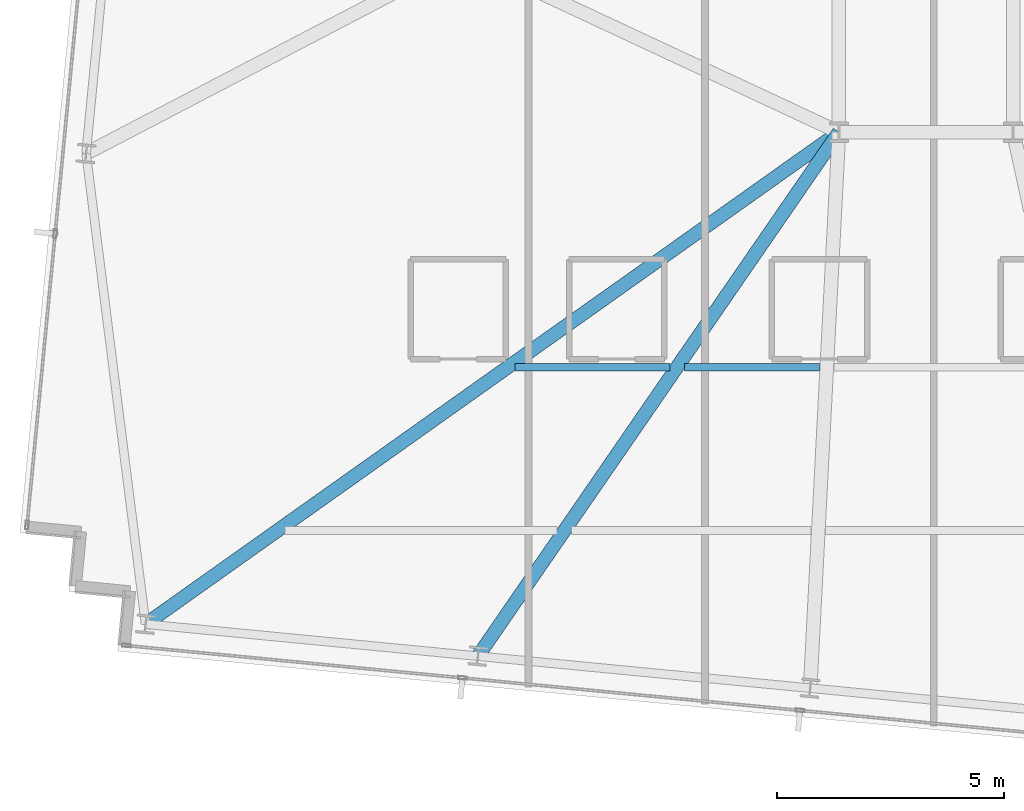
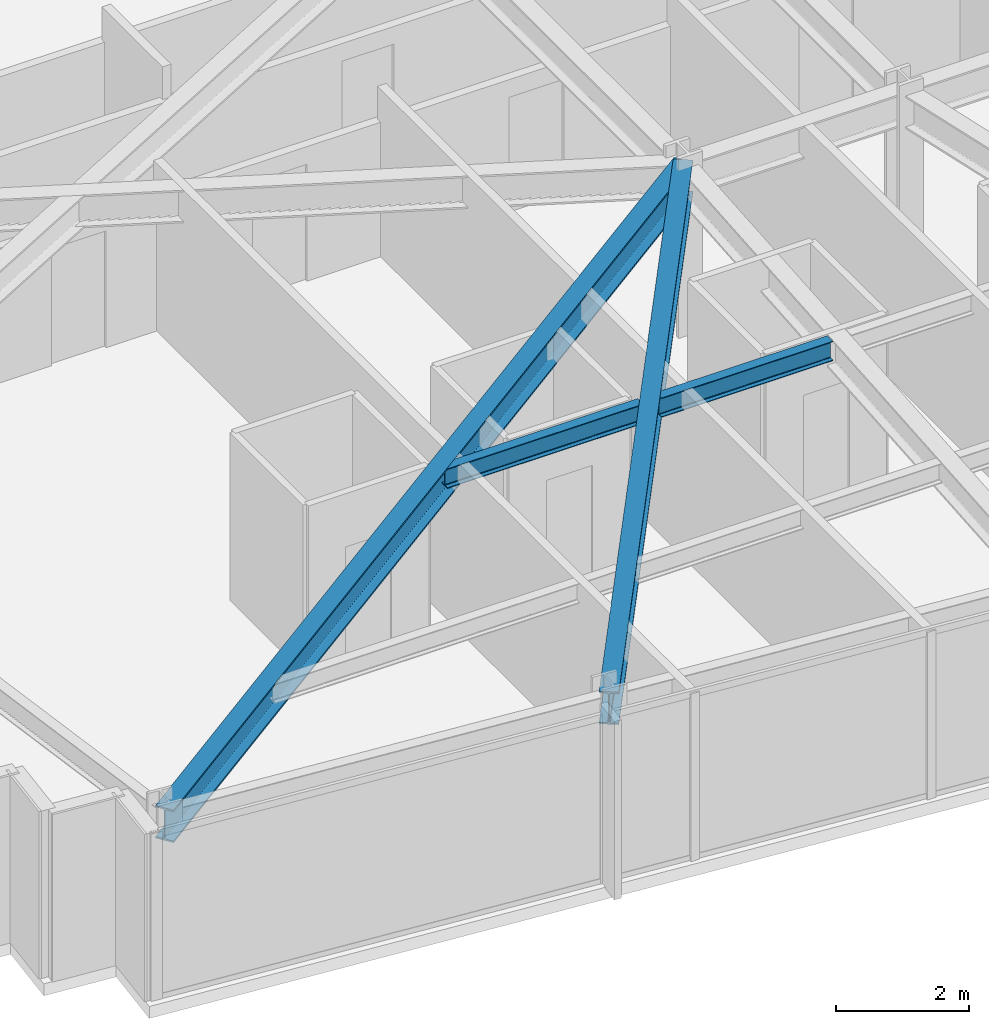
# One storey, part 5 of 37: 4 beams.
"""IFC4 building model written with IfcOpenShell, lengths in metres."""

import ifcopenshell
import ifcopenshell.guid

model = None  # the IFC model being written
_history = None  # IfcOwnerHistory: only IFC2X3 demands one
_inside = {}  # id of a spatial element -> (the spatial element, [elements in it])
_under = {}  # id of a project, library or spatial element -> (it, [spatial elements below it])
_declared = {}  # id of a project -> (the project, [libraries it declares])
_typed = {}  # id of a type object -> (the type object, [elements of that type])
_made_of = {}  # id of a material, layer set ... -> (it, [elements and type objects made of it])


def new_model(schema):
    """Start an empty IFC model of exactly this schema.

    Asked for "IFC4X3", IfcOpenShell would pick the latest addendum, in which some entities
    have other attributes; the version numbers below select the first issue.
    IFC2X3 requires an IfcOwnerHistory on every rooted entity: one is made here for all.
    """
    global model, _history
    if schema == "IFC4X3":
        model = ifcopenshell.file(schema_version=(4, 3, 0, 0))
    else:
        model = ifcopenshell.file(schema=schema)
    _inside.clear()
    _under.clear()
    _declared.clear()
    _typed.clear()
    _made_of.clear()
    _history = None
    if model.schema == "IFC2X3":
        org = make("IfcOrganization", Name="unknown")
        user = make(
            "IfcPersonAndOrganization",
            ThePerson=make("IfcPerson", FamilyName="unknown"),
            TheOrganization=org,
        )
        app = make(
            "IfcApplication",
            ApplicationDeveloper=org,
            Version="unknown",
            ApplicationFullName="unknown",
            ApplicationIdentifier="unknown",
        )
        _history = make(
            "IfcOwnerHistory",
            OwningUser=user,
            OwningApplication=app,
            ChangeAction="ADDED",
            CreationDate=0,
        )
    return model


def make(cls, **values):
    """One entity of the class cls with the attributes given. An attribute that is None is left unset."""
    return model.create_entity(
        cls, **{name: value for name, value in values.items() if value is not None}
    )


def rooted(cls, **values):
    """An entity with a GlobalId (a new one), such as an element, a storey or a relation."""
    return make(cls, GlobalId=ifcopenshell.guid.new(), OwnerHistory=_history, **values)


def si_unit(unit_type, name, prefix=None):
    """IfcSIUnit, for example si_unit("LENGTHUNIT", "METRE", prefix="MILLI")."""
    return make("IfcSIUnit", UnitType=unit_type, Prefix=prefix, Name=name)


def assignment(units):
    """IfcUnitAssignment: the units of a project."""
    return None if units is None else make("IfcUnitAssignment", Units=units)


def point(xyz):
    """IfcCartesianPoint."""
    return None if xyz is None else make("IfcCartesianPoint", Coordinates=xyz)


def direction(xyz):
    """IfcDirection."""
    return None if xyz is None else make("IfcDirection", DirectionRatios=xyz)


def frame(location, z_axis=None, x_axis=None):
    """IfcAxis2Placement3D, a coordinate frame: its origin and axes. An axis left out is left unset."""
    return make(
        "IfcAxis2Placement3D",
        Location=point(location),
        Axis=direction(z_axis),
        RefDirection=direction(x_axis),
    )


def frame_2d(location, x_axis=None):
    """IfcAxis2Placement2D, a coordinate frame in the plane: its origin and x axis."""
    return make(
        "IfcAxis2Placement2D", Location=point(location), RefDirection=direction(x_axis)
    )


def origin():
    """The frame at (0, 0, 0) with its axes left unset."""
    return frame((0.0, 0.0, 0.0))


def origin_2d():
    """The frame at (0, 0) in the plane with its x axis left unset."""
    return frame_2d((0.0, 0.0))


def place(relative_to, where):
    """IfcLocalPlacement: puts the frame where relative to a parent placement (None: the world)."""
    return make(
        "IfcLocalPlacement", PlacementRelTo=relative_to, RelativePlacement=where
    )


def context(
    kind, dimensions, precision=None, world=None, true_north=None, identifier=None
):
    """IfcGeometricRepresentationContext, for example the 3D "Model" context."""
    return make(
        "IfcGeometricRepresentationContext",
        ContextIdentifier=identifier,
        ContextType=kind,
        CoordinateSpaceDimension=dimensions,
        Precision=precision,
        WorldCoordinateSystem=world,
        TrueNorth=true_north,
    )


def subcontext(parent, identifier, kind, view, scale=None):
    """IfcGeometricRepresentationSubContext, for example "Body" below "Model"."""
    return make(
        "IfcGeometricRepresentationSubContext",
        ContextIdentifier=identifier,
        ContextType=kind,
        ParentContext=parent,
        TargetScale=scale,
        TargetView=view,
    )


def project(units=None, contexts=None):
    """IfcProject with its units and contexts."""
    return rooted(
        "IfcProject",
        Name="project",
        RepresentationContexts=contexts,
        UnitsInContext=assignment(units),
    )


def spatial(cls, under=None, at=None, **own):
    """A site, building, storey or space (cls), placed at a placement, below another one or the project."""
    s = rooted(cls, ObjectPlacement=at, **own)
    if under is not None:
        _under.setdefault(under.id(), (under, []))[1].append(s)
    return s


def profile(cls, at=None, kind="AREA", **sizes):
    """A parametric profile (cls). Its sizes go by their IFC names, for example OverallWidth=200.0."""
    return make(cls, ProfileType=kind, Position=at, **sizes)


def i_section(**sizes):
    """IfcIShapeProfileDef."""
    return profile("IfcIShapeProfileDef", **sizes)


def extrude(swept, where, along, depth):
    """IfcExtrudedAreaSolid: the profile swept, set in the frame where, extruded along a direction by depth."""
    return make(
        "IfcExtrudedAreaSolid",
        SweptArea=swept,
        Position=where,
        ExtrudedDirection=direction(along),
        Depth=depth,
    )


def shape(context_of_items, identifier, shape_type, items):
    """IfcShapeRepresentation: the items that make up one representation, for example the "Body"."""
    return make(
        "IfcShapeRepresentation",
        ContextOfItems=context_of_items,
        RepresentationIdentifier=identifier,
        RepresentationType=shape_type,
        Items=items,
    )


def material(Name=None, Category=None):
    """IfcMaterial."""
    return make("IfcMaterial", Name=Name, Category=Category)


def material_profile(
    of_material, cross_section, Name=None, Category=None, Priority=None
):
    """IfcMaterialProfile: a cross section and its material."""
    return make(
        "IfcMaterialProfile",
        Name=Name,
        Material=of_material,
        Profile=cross_section,
        Priority=Priority,
        Category=Category,
    )


def profile_set(profiles, Name=None, composite=None):
    """IfcMaterialProfileSet."""
    return make(
        "IfcMaterialProfileSet",
        Name=Name,
        MaterialProfiles=profiles,
        CompositeProfile=composite,
    )


def made_of(thing, what):
    """Note that an element or type object is made of a material, layer set ...; save() writes the relation."""
    if what is not None:
        _made_of.setdefault(what.id(), (what, []))[1].append(thing)
    return thing


def type_object(cls, material=None, **own):
    """A type object (cls), such as IfcWallType, which elements share."""
    return made_of(rooted(cls, **own), material)


def element(
    cls,
    number,
    at=None,
    inside=None,
    cuts=None,
    type_object=None,
    material=None,
    context=None,
    identifier="Body",
    shape_type=None,
    held_by="IfcProductDefinitionShape",
    body=None,
    shapes=None,
    **own,
):
    """One element of the class cls, such as IfcWall. Its Tag is "e" and its number.

    at: its placement. inside: the storey or other place that contains it. cuts: it is an
    opening in that element (IfcRelVoidsElement). A single representation is given by context,
    identifier, shape_type and body (its items); several are given by shapes. held_by: the class
    of the entity that holds the representations. save() writes the other relations.
    """
    e = rooted(cls, Tag="e%d" % number, ObjectPlacement=at, **own)
    if body is not None:
        shapes = [shape(context, identifier, shape_type, body)]
    if shapes is not None:
        e.Representation = make(held_by, Representations=shapes)
    if inside is not None:
        _inside.setdefault(inside.id(), (inside, []))[1].append(e)
    if cuts is not None:
        rooted(
            "IfcRelVoidsElement", RelatingBuildingElement=cuts, RelatedOpeningElement=e
        )
    if type_object is not None:
        _typed.setdefault(type_object.id(), (type_object, []))[1].append(e)
    return made_of(e, material)


def aggregate(whole, parts):
    """IfcRelAggregates: a whole, such as a stair, and the parts it consists of."""
    return rooted("IfcRelAggregates", RelatingObject=whole, RelatedObjects=parts)


def save(model, path):
    """Write the relations noted so far, then the file.

    IfcRelAggregates (storeys below a building ...), IfcRelContainedInSpatialStructure (elements
    in a storey), IfcRelDefinesByType, IfcRelAssociatesMaterial and IfcRelDeclares: one each for
    every whole, place, type object, material and project.
    """
    for whole, parts in _under.values():
        aggregate(whole, parts)
    for where, things in _inside.values():
        rooted(
            "IfcRelContainedInSpatialStructure",
            RelatedElements=things,
            RelatingStructure=where,
        )
    for kind, things in _typed.values():
        rooted("IfcRelDefinesByType", RelatedObjects=things, RelatingType=kind)
    for what, things in _made_of.values():
        rooted("IfcRelAssociatesMaterial", RelatedObjects=things, RelatingMaterial=what)
    for by, libraries in _declared.values():
        rooted("IfcRelDeclares", RelatingContext=by, RelatedDefinitions=libraries)
    model.write(path)


model = new_model("IFC4")

# Units and contexts
model_context = context("Model", 3, precision=1e-05, world=origin(), true_north=direction((0.0, 1.0)))
body_context = subcontext(model_context, "Body", "Model", "MODEL_VIEW")
ifc_project = project(units=[si_unit("LENGTHUNIT", "METRE"), si_unit("AREAUNIT", "SQUARE_METRE"), si_unit("VOLUMEUNIT", "CUBIC_METRE"), si_unit("PLANEANGLEUNIT", "RADIAN"), si_unit("MASSUNIT", "GRAM", prefix="KILO")], contexts=[model_context])

# Site, building, storey
site_placement = place(None, origin())
site = spatial("IfcSite", under=ifc_project, at=site_placement, CompositionType="ELEMENT")
building_placement = place(site_placement, origin())
building = spatial("IfcBuilding", under=site, at=building_placement, Name="Yelkora Congress Tower", CompositionType="ELEMENT")
storey_placement = place(building_placement, frame((0.0, 0.0, 182.0)))
storey = spatial("IfcBuildingStorey", under=building, at=storey_placement, Name="L50", CompositionType="ELEMENT", Elevation=182.0)

# Beams
ifc_material = material(Name="Steel S355J2", Category="steel")
ifc_material_profile_1 = material_profile(ifc_material, i_section(OverallWidth=0.300048828125, OverallDepth=0.60009765625, WebThickness=0.015380859375, FlangeThickness=0.030029296875, FilletRadius=0.027099609375, at=origin_2d()), Name="HEB 600")
ifc_profile_set_1 = profile_set([ifc_material_profile_1], Name="Steel S355J2")
beam_type_1 = type_object("IfcBeamType", Name="BM-GIRD-HEB600", PredefinedType="BEAM", material=ifc_profile_set_1)
beam_1_placement = place(storey_placement, frame((3.919189453125, 14.357421875, 2.780029296875), z_axis=(0.815554555366, 0.578680194254, 0.0), x_axis=(-0.578680194254, 0.815554555366, 0.0)))
element("IfcBeam", 1, at=beam_1_placement, inside=storey, type_object=beam_type_1, Name="L50 Primary Frame Girder S01", PredefinedType="BEAM", context=body_context, shape_type="SweptSolid", body=[
    extrude(i_section(OverallWidth=0.300048828125, OverallDepth=0.60009765625, WebThickness=0.015380859375, FlangeThickness=0.030029296875, FilletRadius=0.027099609375, at=origin_2d()), origin(), (0.0, 0.0, 1.0), 18.736572265625),
])
beam_2_placement = place(storey_placement, frame((11.242431640625, 13.652099609375, 2.780029296875), z_axis=(0.567418043278, 0.823429878109, 0.0), x_axis=(-0.823429878109, 0.567418043278, 0.0)))
element("IfcBeam", 2, at=beam_2_placement, inside=storey, type_object=beam_type_1, Name="L50 Primary Frame Girder S02", PredefinedType="BEAM", context=body_context, shape_type="SweptSolid", body=[
    extrude(i_section(OverallWidth=0.300048828125, OverallDepth=0.60009765625, WebThickness=0.015380859375, FlangeThickness=0.030029296875, FilletRadius=0.027099609375, at=origin_2d()), origin(), (0.0, 0.0, 1.0), 14.024169921875),
])
ifc_material_profile_2 = material_profile(ifc_material, i_section(OverallWidth=0.169921875, OverallDepth=0.360107421875, WebThickness=0.008056640625, FlangeThickness=0.0126953125, FilletRadius=0.01806640625, at=origin_2d()), Name="IPE 360")
ifc_profile_set_2 = profile_set([ifc_material_profile_2], Name="Steel S355J2")
beam_type_2 = type_object("IfcBeamType", Name="BM-JOIST-IPE360", PredefinedType="JOIST", material=ifc_profile_set_2)
beam_3_placement = place(storey_placement, frame((12.061279296875, 20.021240234375, 2.89990234375), z_axis=(1.0, 0.0, 0.0), x_axis=(0.0, 1.0, 0.0)))
element("IfcBeam", 3, at=beam_3_placement, inside=storey, type_object=beam_type_2, Name="L50 Composite Floor Joist 12", PredefinedType="JOIST", context=body_context, shape_type="SweptSolid", body=[
    extrude(i_section(OverallWidth=0.169921875, OverallDepth=0.360107421875, WebThickness=0.008056640625, FlangeThickness=0.0126953125, FilletRadius=0.01806640625, at=origin_2d()), origin(), (0.0, 0.0, 1.0), 3.409912109375),
])
beam_4_placement = place(storey_placement, frame((15.791259765625, 20.021240234375, 2.89990234375), z_axis=(1.0, 0.0, 0.0), x_axis=(0.0, 1.0, 0.0)))
element("IfcBeam", 4, at=beam_4_placement, inside=storey, type_object=beam_type_2, Name="L50 Composite Floor Joist 13", PredefinedType="JOIST", context=body_context, shape_type="SweptSolid", body=[
    extrude(i_section(OverallWidth=0.169921875, OverallDepth=0.360107421875, WebThickness=0.008056640625, FlangeThickness=0.0126953125, FilletRadius=0.01806640625, at=origin_2d()), origin(), (0.0, 0.0, 1.0), 2.980712890625),
])

save(model, "model.ifc")
